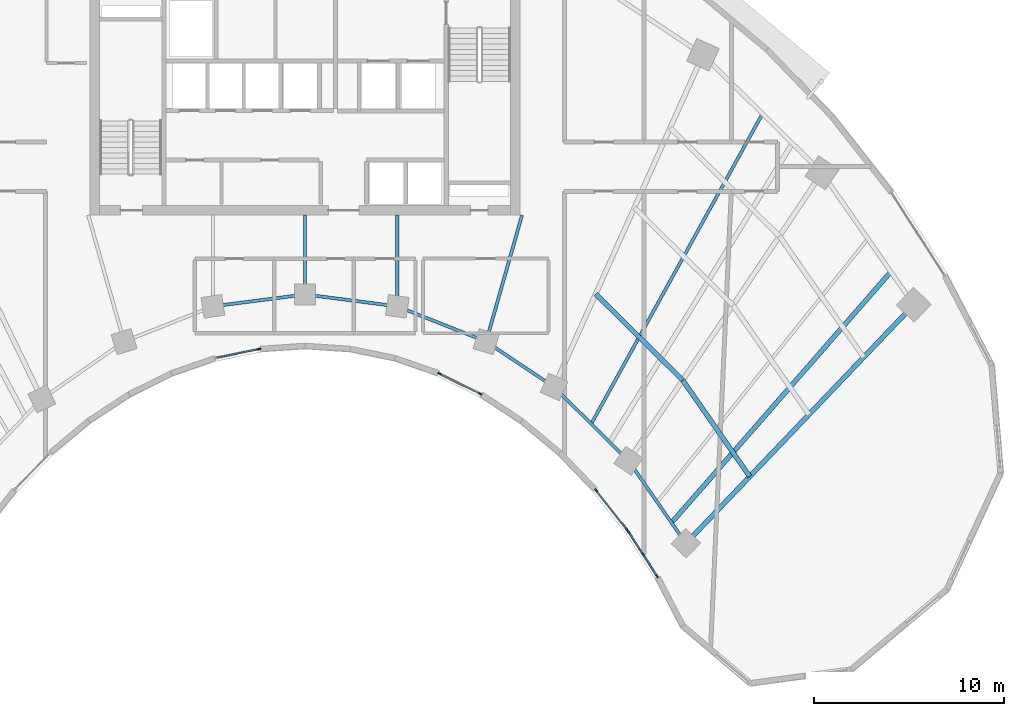
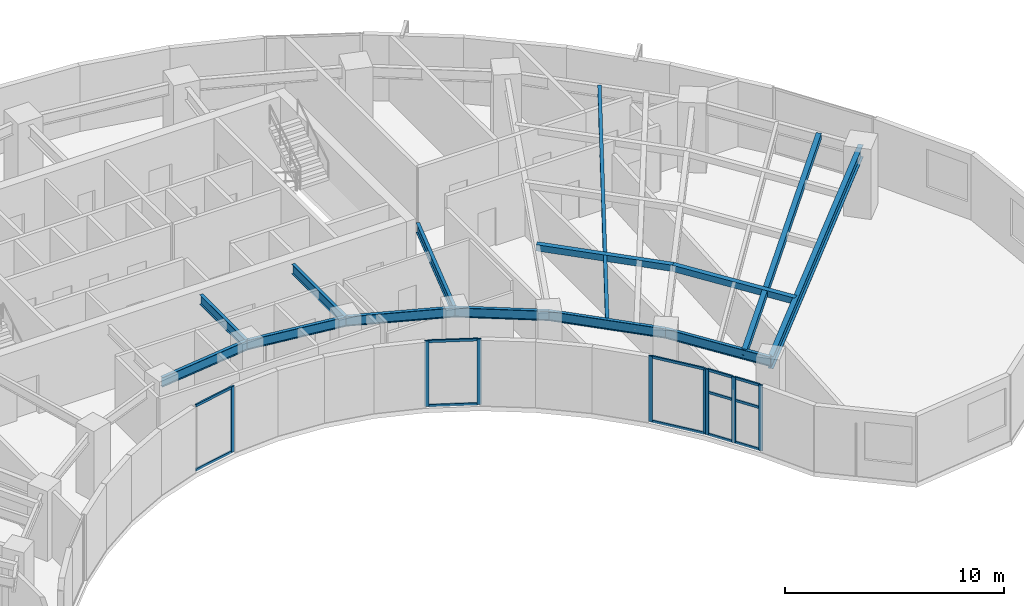
# One storey, part 3 of 14: 20 members, 14 beams, 4 elements without a shape of their own.
"""IFC4 building model written with IfcOpenShell, lengths in metres."""

from ifc_helpers import new_model, si_unit, direction, frame, origin, origin_2d, place, context, subcontext, project, spatial, rectangle, hollow_rectangle, i_section, extrude, source, transform, mapped, material, layer, layer_set, material_profile, profile_set, type_object, type_shapes, element, aggregate, save


model = new_model("IFC4")

# Units and contexts
model_context = context("Model", 3, precision=1e-05, world=origin(), true_north=direction((0.0, 1.0)))
body_context = subcontext(model_context, "Body", "Model", "MODEL_VIEW")
ifc_project = project(units=[si_unit("LENGTHUNIT", "METRE"), si_unit("AREAUNIT", "SQUARE_METRE"), si_unit("VOLUMEUNIT", "CUBIC_METRE"), si_unit("PLANEANGLEUNIT", "RADIAN"), si_unit("MASSUNIT", "GRAM", prefix="KILO")], contexts=[model_context])

# Site, building, storey
site_placement = place(None, origin())
site = spatial("IfcSite", under=ifc_project, at=site_placement, CompositionType="ELEMENT")
building_placement = place(site_placement, origin())
building = spatial("IfcBuilding", under=site, at=building_placement, Name="Breltana Convention Tower", CompositionType="ELEMENT")
storey_placement = place(building_placement, frame((0.0, 0.0, 135.0)))
storey = spatial("IfcBuildingStorey", under=building, at=storey_placement, Name="L32", CompositionType="ELEMENT", Elevation=135.0)

# Beams
ifc_material_1 = material(Name="Steel ASTM A992 Grade 50", Category="steel")
ifc_material_profile_1 = material_profile(ifc_material_1, i_section(OverallWidth=0.25390625, OverallDepth=0.68798828125, WebThickness=0.01318359375, FlangeThickness=0.02099609375, at=origin_2d()), Name="W27X102")
ifc_profile_set_1 = profile_set([ifc_material_profile_1], Name="Steel ASTM A992 Grade 50")
beam_type_1 = type_object("IfcBeamType", Name="BM-RG-W27X102", PredefinedType="USERDEFINED", material=ifc_profile_set_1)
shared_shape_1 = source(origin(), body_context, "Body", "SweptSolid", [
    extrude(i_section(OverallWidth=0.25390625, OverallDepth=0.68798828125, WebThickness=0.01318359375, FlangeThickness=0.02099609375, at=origin_2d()), origin(), (0.0, 0.0, 1.0), 17.341064453125),
])
type_shapes(beam_type_1, [shared_shape_1])
beam_1_placement = place(storey_placement, frame((68.015380859375, 42.95458984375, 3.305908203125), z_axis=(0.690716462293, 0.723125693581, 0.0), x_axis=(-0.723125693581, 0.690716462293, 0.0)))
element("IfcBeam", 1, at=beam_1_placement, inside=storey, type_object=beam_type_1, Name="L32 Radial Floor Girder R11", ObjectType="GIRDER", PredefinedType="USERDEFINED", context=body_context, shape_type="MappedRepresentation", body=[
    mapped(shared_shape_1, transform((0.0, 0.0, 0.0), scale=1.0)),
])
ifc_material_profile_2 = material_profile(ifc_material_1, i_section(OverallWidth=0.166015625, OverallDepth=0.534912109375, WebThickness=0.01025390625, FlangeThickness=0.0166015625, at=origin_2d()), Name="W21X57")
ifc_profile_set_2 = profile_set([ifc_material_profile_2], Name="Steel ASTM A992 Grade 50")
beam_type_2 = type_object("IfcBeamType", Name="BM-BM-W21X57", PredefinedType="BEAM", material=ifc_profile_set_2)
shared_shape_2 = source(origin(), body_context, "Body", "SweptSolid", [
    extrude(i_section(OverallWidth=0.166015625, OverallDepth=0.534912109375, WebThickness=0.01025390625, FlangeThickness=0.0166015625, at=origin_2d()), origin(), (0.0, 0.0, 1.0), 6.904541015625),
])
type_shapes(beam_type_2, [shared_shape_2])
beam_2_placement = place(storey_placement, frame((59.39990234375, 60.199951171875, 3.382568359375), z_axis=(-0.273006781054, -0.962012108811, 0.0), x_axis=(0.962012108811, -0.273006781054, 0.0)))
element("IfcBeam", 2, at=beam_2_placement, inside=storey, type_object=beam_type_2, Name="L32 South Core Tie Girder R08", PredefinedType="BEAM", context=body_context, shape_type="MappedRepresentation", body=[
    mapped(shared_shape_2, transform((0.0, 0.0, 0.0), scale=1.0)),
])
shared_shape_3 = source(origin(), body_context, "Body", "SweptSolid", [
    extrude(i_section(OverallWidth=0.166015625, OverallDepth=0.534912109375, WebThickness=0.01025390625, FlangeThickness=0.0166015625, at=origin_2d()), origin(), (0.0, 0.0, 1.0), 4.789306640625),
])
beam_3_placement = place(storey_placement, frame((52.846435546875, 60.199951171875, 3.382568359375), z_axis=(0.0, -1.0, 0.0), x_axis=(1.0, 0.0, 0.0)))
element("IfcBeam", 3, at=beam_3_placement, inside=storey, type_object=beam_type_2, Name="L32 South Core Tie Girder R07", PredefinedType="BEAM", context=body_context, shape_type="MappedRepresentation", body=[
    mapped(shared_shape_3, transform((0.0, 0.0, 0.0), scale=1.0)),
])
shared_shape_4 = source(origin(), body_context, "Body", "SweptSolid", [
    extrude(i_section(OverallWidth=0.166015625, OverallDepth=0.534912109375, WebThickness=0.01025390625, FlangeThickness=0.0166015625, at=origin_2d()), origin(), (0.0, 0.0, 1.0), 4.1640625),
])
beam_4_placement = place(storey_placement, frame((48.0, 60.199951171875, 3.382568359375), z_axis=(0.0, -1.0, 0.0), x_axis=(1.0, 0.0, 0.0)))
element("IfcBeam", 4, at=beam_4_placement, inside=storey, type_object=beam_type_2, Name="L32 South Core Tie Girder R06", PredefinedType="BEAM", context=body_context, shape_type="MappedRepresentation", body=[
    mapped(shared_shape_4, transform((0.0, 0.0, 0.0), scale=1.0)),
])
shared_shape_5 = source(origin(), body_context, "Body", "SweptSolid", [
    extrude(i_section(OverallWidth=0.166015625, OverallDepth=0.534912109375, WebThickness=0.01025390625, FlangeThickness=0.0166015625, at=origin_2d()), origin(), (0.0, 0.0, 1.0), 5.022705078125),
])
beam_5_placement = place(storey_placement, frame((52.846435546875, 55.41064453125, 3.382568359375), z_axis=(0.929458966248, -0.368925507469, 0.0), x_axis=(0.368925507469, 0.929458966248, 0.0)))
element("IfcBeam", 5, at=beam_5_placement, inside=storey, type_object=beam_type_2, Name="L32 Inner Ring Beam 07", PredefinedType="BEAM", context=body_context, shape_type="MappedRepresentation", body=[
    mapped(shared_shape_5, transform((0.0, 0.0, 0.0), scale=1.0)),
])
shared_shape_6 = source(origin(), body_context, "Body", "SweptSolid", [
    extrude(i_section(OverallWidth=0.166015625, OverallDepth=0.534912109375, WebThickness=0.01025390625, FlangeThickness=0.0166015625, at=origin_2d()), origin(), (0.0, 0.0, 1.0), 4.88671875),
])
for number, where, z_axis, x_axis, name in (
    (6, (43.153564453125, 55.41064453125, 3.382568359375), (0.991780525565, 0.127950729231, 0.0), (-0.127950729231, 0.991780525565, 0.0), "L32 Inner Ring Beam 05"),
    (7, (48.0, 56.035888671875, 3.382568359375), (0.991780525565, -0.127950729231, 0.0), (0.127950729231, 0.991780525565, 0.0), "L32 Inner Ring Beam 06"),
):
    element("IfcBeam", number, at=place(storey_placement, frame(where, z_axis=z_axis, x_axis=x_axis)), inside=storey, type_object=beam_type_2, Name=name, PredefinedType="BEAM", context=body_context, shape_type="MappedRepresentation", body=[
        mapped(shared_shape_6, transform((0.0, 0.0, 0.0), scale=1.0)),
    ])
shared_shape_7 = source(origin(), body_context, "Body", "SweptSolid", [
    extrude(i_section(OverallWidth=0.166015625, OverallDepth=0.534912109375, WebThickness=0.01025390625, FlangeThickness=0.0166015625, at=origin_2d()), origin(), (0.0, 0.0, 1.0), 4.2900390625),
])
beam_6_placement = place(storey_placement, frame((57.514892578125, 53.5576171875, 3.382568359375), z_axis=(0.831515827753, -0.555501060482, 0.0), x_axis=(0.555501060482, 0.831515827753, 0.0)))
element("IfcBeam", 8, at=beam_6_placement, inside=storey, type_object=beam_type_2, Name="L32 Inner Ring Beam 08", PredefinedType="BEAM", context=body_context, shape_type="MappedRepresentation", body=[
    mapped(shared_shape_7, transform((0.0, 0.0, 0.0), scale=1.0)),
])
shared_shape_8 = source(origin(), body_context, "Body", "SweptSolid", [
    extrude(i_section(OverallWidth=0.166015625, OverallDepth=0.534912109375, WebThickness=0.01025390625, FlangeThickness=0.0166015625, at=origin_2d()), origin(), (0.0, 0.0, 1.0), 5.51171875),
])
beam_7_placement = place(storey_placement, frame((61.08203125, 51.174560546875, 3.382568359375), z_axis=(0.710090360749, -0.704110559196, 0.0), x_axis=(0.704110559196, 0.710090360749, 0.0)))
element("IfcBeam", 9, at=beam_7_placement, inside=storey, type_object=beam_type_2, Name="L32 Inner Ring Beam 09", PredefinedType="BEAM", context=body_context, shape_type="MappedRepresentation", body=[
    mapped(shared_shape_8, transform((0.0, 0.0, 0.0), scale=1.0)),
])
shared_shape_9 = source(origin(), body_context, "Body", "SweptSolid", [
    extrude(i_section(OverallWidth=0.166015625, OverallDepth=0.534912109375, WebThickness=0.01025390625, FlangeThickness=0.0166015625, at=origin_2d()), origin(), (0.0, 0.0, 1.0), 5.286376953125),
])
beam_8_placement = place(storey_placement, frame((64.995849609375, 47.293701171875, 3.382568359375), z_axis=(0.571194382458, -0.82081482531, 0.0), x_axis=(0.82081482531, 0.571194382458, 0.0)))
element("IfcBeam", 10, at=beam_8_placement, inside=storey, type_object=beam_type_2, Name="L32 Inner Ring Beam 10", PredefinedType="BEAM", context=body_context, shape_type="MappedRepresentation", body=[
    mapped(shared_shape_9, transform((0.0, 0.0, 0.0), scale=1.0)),
])
ifc_material_profile_3 = material_profile(ifc_material_1, hollow_rectangle(XDim=0.25, YDim=0.35009765625, WallThickness=0.011962890625, at=origin_2d()), Name="RHS350X250X12")
ifc_profile_set_3 = profile_set([ifc_material_profile_3], Name="Steel ASTM A992 Grade 50")
beam_type_3 = type_object("IfcBeamType", Name="BM-JSG-12", PredefinedType="JOIST", material=ifc_profile_set_3)
shared_shape_10 = source(origin(), body_context, "Body", "SweptSolid", [
    extrude(hollow_rectangle(XDim=0.25, YDim=0.35009765625, WallThickness=0.011962890625, at=origin_2d()), origin(), (0.0, 0.0, 1.0), 6.435302734375),
])
beam_9_placement = place(storey_placement, frame((63.27392578125, 56.06298828125, 3.47509765625), z_axis=(0.710116389828, -0.704084308089, 0.0), x_axis=(0.704084308089, 0.710116389828, 0.0)))
element("IfcBeam", 11, at=beam_9_placement, inside=storey, type_object=beam_type_3, Name="L32 Composite Floor Joist 09.1", PredefinedType="JOIST", context=body_context, shape_type="MappedRepresentation", body=[
    mapped(shared_shape_10, transform((0.0, 0.0, 0.0), scale=1.0)),
])
ifc_material_profile_4 = material_profile(ifc_material_1, i_section(OverallWidth=0.166015625, OverallDepth=0.534912109375, WebThickness=0.01025390625, FlangeThickness=0.0166015625, at=origin_2d()), Name="W21X57")
ifc_profile_set_4 = profile_set([ifc_material_profile_4], Name="Steel ASTM A992 Grade 50")
beam_type_4 = type_object("IfcBeamType", Name="BM-JSG-05", PredefinedType="JOIST", material=ifc_profile_set_4)
shared_shape_11 = source(origin(), body_context, "Body", "SweptSolid", [
    extrude(i_section(OverallWidth=0.166015625, OverallDepth=0.534912109375, WebThickness=0.01025390625, FlangeThickness=0.0166015625, at=origin_2d()), origin(), (0.0, 0.0, 1.0), 18.617431640625),
])
beam_10_placement = place(storey_placement, frame((63.038818359375, 49.234130859375, 3.382568359375), z_axis=(0.483405602507, 0.875396495004, 0.0), x_axis=(-0.875396495004, 0.483405602507, 0.0)))
element("IfcBeam", 12, at=beam_10_placement, inside=storey, type_object=beam_type_4, Name="L32 Mid-Bay Radial Trimmer 09", PredefinedType="JOIST", context=body_context, shape_type="MappedRepresentation", body=[
    mapped(shared_shape_11, transform((0.0, 0.0, 0.0), scale=1.0)),
])
shared_shape_12 = source(origin(), body_context, "Body", "SweptSolid", [
    extrude(hollow_rectangle(XDim=0.25, YDim=0.35009765625, WallThickness=0.011962890625, at=origin_2d()), origin(), (0.0, 0.0, 1.0), 6.172119140625),
])
beam_11_placement = place(storey_placement, frame((67.84375, 51.531982421875, 3.47509765625), z_axis=(0.571211663392, -0.820802799462, 0.0), x_axis=(0.820802799462, 0.571211663392, 0.0)))
element("IfcBeam", 13, at=beam_11_placement, inside=storey, type_object=beam_type_3, Name="L32 Composite Floor Joist 10.1", PredefinedType="JOIST", context=body_context, shape_type="MappedRepresentation", body=[
    mapped(shared_shape_12, transform((0.0, 0.0, 0.0), scale=1.0)),
])
shared_shape_13 = source(origin(), body_context, "Body", "SweptSolid", [
    extrude(hollow_rectangle(XDim=0.25, YDim=0.35009765625, WallThickness=0.011962890625, at=origin_2d()), origin(), (0.0, 0.0, 1.0), 17.515625),
])
beam_12_placement = place(storey_placement, frame((67.260498046875, 44.03955078125, 3.47509765625), z_axis=(0.658051548324, 0.752972881151, 0.0), x_axis=(-0.752972881151, 0.658051548324, 0.0)))
element("IfcBeam", 14, at=beam_12_placement, inside=storey, type_object=beam_type_3, Name="L32 Quarter-Bay Radial Trimmer 10", PredefinedType="JOIST", context=body_context, shape_type="MappedRepresentation", body=[
    mapped(shared_shape_13, transform((0.0, 0.0, 0.0), scale=1.0)),
])

# Curtain wall, members
ifc_material_2 = material(Name="Aluminium Anodised Bronze Frame", Category="aluminium")
ifc_layer = layer(ifc_material_2, 0.18994140625, Name="Aluminium Anodised Bronze Frame")
ifc_layer_set = layer_set([ifc_layer], Name="Aluminium Anodised Bronze Frame")
curtain_wall_type = type_object("IfcCurtainWallType", Name="CW-SYS-1", PredefinedType="NOTDEFINED", material=ifc_layer_set)
curtain_wall_1_placement = place(storey_placement, origin())
curtain_wall_1 = element("IfcCurtainWall", 15, at=curtain_wall_1_placement, inside=storey, type_object=curtain_wall_type, Name="L32 inner south-court glazing 1", PredefinedType="NOTDEFINED")
ifc_material_3 = material(Name="Aluminium Anodised Bronze", Category="aluminium")
ifc_material_profile_5 = material_profile(ifc_material_3, rectangle(XDim=0.080078125, YDim=0.139892578125, at=origin_2d()), Name="CWT-80X140")
ifc_profile_set_5 = profile_set([ifc_material_profile_5], Name="Aluminium Anodised Bronze")
member_type_1 = type_object("IfcMemberType", Name="CWT-140", PredefinedType="USERDEFINED", material=ifc_profile_set_5)
shared_shape_14 = source(origin(), body_context, "Body", "SweptSolid", [
    extrude(rectangle(XDim=0.080078125, YDim=0.139892578125, at=origin_2d()), origin(), (0.0, 0.0, 1.0), 1.30029296875),
])
member_1_placement = place(storey_placement, frame((66.4794921875, 41.259521484375, 0.0400390625), z_axis=(-0.540188084224, 0.841544314735, 0.0), x_axis=(-0.841544314735, -0.540188084224, 0.0)))
member_1 = element("IfcMember", 16, at=member_1_placement, type_object=member_type_1, Name="CW-01 transom 1.1", ObjectType="TRANSOM", PredefinedType="USERDEFINED", context=body_context, shape_type="MappedRepresentation", body=[
    mapped(shared_shape_14, transform((0.0, 0.0, 0.0), scale=1.0)),
])
member_2_placement = place(storey_placement, frame((66.4794921875, 41.259521484375, 2.37255859375), z_axis=(-0.540188084224, 0.841544314735, 0.0), x_axis=(-0.841544314735, -0.540188084224, 0.0)))
member_2 = element("IfcMember", 17, at=member_2_placement, type_object=member_type_1, Name="CW-01 transom 1.2", ObjectType="TRANSOM", PredefinedType="USERDEFINED", context=body_context, shape_type="MappedRepresentation", body=[
    mapped(shared_shape_14, transform((0.0, 0.0, 0.0), scale=1.0)),
])
member_3_placement = place(storey_placement, frame((66.4794921875, 41.259521484375, 3.610107421875), z_axis=(-0.540188084224, 0.841544314735, 0.0), x_axis=(-0.841544314735, -0.540188084224, 0.0)))
member_3 = element("IfcMember", 18, at=member_3_placement, type_object=member_type_1, Name="CW-01 transom 1.3", ObjectType="TRANSOM", PredefinedType="USERDEFINED", context=body_context, shape_type="MappedRepresentation", body=[
    mapped(shared_shape_14, transform((0.0, 0.0, 0.0), scale=1.0)),
])
shared_shape_15 = source(origin(), body_context, "Body", "SweptSolid", [
    extrude(rectangle(XDim=0.080078125, YDim=0.139892578125, at=origin_2d()), origin(), (0.0, 0.0, 1.0), 1.300048828125),
])
member_4_placement = place(storey_placement, frame((65.73388671875, 42.4208984375, 0.0400390625), z_axis=(-0.540140453972, 0.841574886735, 0.0), x_axis=(-0.841574886735, -0.540140453972, 0.0)))
member_4 = element("IfcMember", 19, at=member_4_placement, type_object=member_type_1, Name="CW-01 transom 2.1", ObjectType="TRANSOM", PredefinedType="USERDEFINED", context=body_context, shape_type="MappedRepresentation", body=[
    mapped(shared_shape_15, transform((0.0, 0.0, 0.0), scale=1.0)),
])
member_5_placement = place(storey_placement, frame((65.73388671875, 42.4208984375, 2.37255859375), z_axis=(-0.540140453972, 0.841574886735, 0.0), x_axis=(-0.841574886735, -0.540140453972, 0.0)))
member_5 = element("IfcMember", 20, at=member_5_placement, type_object=member_type_1, Name="CW-01 transom 2.2", ObjectType="TRANSOM", PredefinedType="USERDEFINED", context=body_context, shape_type="MappedRepresentation", body=[
    mapped(shared_shape_15, transform((0.0, 0.0, 0.0), scale=1.0)),
])
member_6_placement = place(storey_placement, frame((65.73388671875, 42.4208984375, 3.610107421875), z_axis=(-0.540140453972, 0.841574886735, 0.0), x_axis=(-0.841574886735, -0.540140453972, 0.0)))
member_6 = element("IfcMember", 21, at=member_6_placement, type_object=member_type_1, Name="CW-01 transom 2.3", ObjectType="TRANSOM", PredefinedType="USERDEFINED", context=body_context, shape_type="MappedRepresentation", body=[
    mapped(shared_shape_15, transform((0.0, 0.0, 0.0), scale=1.0)),
])

curtain_wall_2_placement = place(storey_placement, origin())
curtain_wall_2 = element("IfcCurtainWall", 22, at=curtain_wall_2_placement, inside=storey, type_object=curtain_wall_type, Name="L32 inner south-court glazing 2", PredefinedType="NOTDEFINED")
shared_shape_16 = source(origin(), body_context, "Body", "SweptSolid", [
    extrude(rectangle(XDim=0.080078125, YDim=0.139892578125, at=origin_2d()), origin(), (0.0, 0.0, 1.0), 2.6005859375),
])
member_7_placement = place(storey_placement, frame((64.928955078125, 43.6591796875, 0.0400390625), z_axis=(-0.618078566977, 0.786116330478, 0.0), x_axis=(-0.786116330478, -0.618078566977, 0.0)))
member_7 = element("IfcMember", 23, at=member_7_placement, type_object=member_type_1, Name="CW-01 transom 1.1", ObjectType="TRANSOM", PredefinedType="USERDEFINED", context=body_context, shape_type="MappedRepresentation", body=[
    mapped(shared_shape_16, transform((0.0, 0.0, 0.0), scale=1.0)),
])
member_8_placement = place(storey_placement, frame((64.928955078125, 43.6591796875, 3.610107421875), z_axis=(-0.618078566977, 0.786116330478, 0.0), x_axis=(-0.786116330478, -0.618078566977, 0.0)))
member_8 = element("IfcMember", 24, at=member_8_placement, type_object=member_type_1, Name="CW-01 transom 1.2", ObjectType="TRANSOM", PredefinedType="USERDEFINED", context=body_context, shape_type="MappedRepresentation", body=[
    mapped(shared_shape_16, transform((0.0, 0.0, 0.0), scale=1.0)),
])

curtain_wall_3_placement = place(storey_placement, origin())
curtain_wall_3 = element("IfcCurtainWall", 25, at=curtain_wall_3_placement, inside=storey, type_object=curtain_wall_type, Name="L32 inner south-court glazing 3", PredefinedType="NOTDEFINED")
shared_shape_17 = source(origin(), body_context, "Body", "SweptSolid", [
    extrude(rectangle(XDim=0.080078125, YDim=0.139892578125, at=origin_2d()), origin(), (0.0, 0.0, 1.0), 2.302490234375),
])
member_9_placement = place(storey_placement, frame((57.167236328125, 50.83251953125, 0.0400390625), z_axis=(-0.895948802276, 0.444157341152, 0.0), x_axis=(-0.444157341152, -0.895948802276, 0.0)))
member_9 = element("IfcMember", 26, at=member_9_placement, type_object=member_type_1, Name="CW-01 transom 1.1", ObjectType="TRANSOM", PredefinedType="USERDEFINED", context=body_context, shape_type="MappedRepresentation", body=[
    mapped(shared_shape_17, transform((0.0, 0.0, 0.0), scale=1.0)),
])
member_10_placement = place(storey_placement, frame((57.167236328125, 50.83251953125, 3.610107421875), z_axis=(-0.895948802276, 0.444157341152, 0.0), x_axis=(-0.444157341152, -0.895948802276, 0.0)))
member_10 = element("IfcMember", 27, at=member_10_placement, type_object=member_type_1, Name="CW-01 transom 1.2", ObjectType="TRANSOM", PredefinedType="USERDEFINED", context=body_context, shape_type="MappedRepresentation", body=[
    mapped(shared_shape_17, transform((0.0, 0.0, 0.0), scale=1.0)),
])

curtain_wall_4_placement = place(storey_placement, origin())
curtain_wall_4 = element("IfcCurtainWall", 28, at=curtain_wall_4_placement, inside=storey, type_object=curtain_wall_type, Name="L32 inner south-court glazing 4", PredefinedType="NOTDEFINED")
shared_shape_18 = source(origin(), body_context, "Body", "SweptSolid", [
    extrude(rectangle(XDim=0.080078125, YDim=0.139892578125, at=origin_2d()), origin(), (0.0, 0.0, 1.0), 2.2138671875),
])
member_11_placement = place(storey_placement, frame((45.535888671875, 53.15576171875, 0.0400390625), z_axis=(-0.979627741123, -0.200822032712, 0.0), x_axis=(0.200822032712, -0.979627741123, 0.0)))
member_11 = element("IfcMember", 29, at=member_11_placement, type_object=member_type_1, Name="CW-01 transom 1.1", ObjectType="TRANSOM", PredefinedType="USERDEFINED", context=body_context, shape_type="MappedRepresentation", body=[
    mapped(shared_shape_18, transform((0.0, 0.0, 0.0), scale=1.0)),
])
member_12_placement = place(storey_placement, frame((45.535888671875, 53.15576171875, 3.610107421875), z_axis=(-0.979627741123, -0.200822032712, 0.0), x_axis=(0.200822032712, -0.979627741123, 0.0)))
member_12 = element("IfcMember", 30, at=member_12_placement, type_object=member_type_1, Name="CW-01 transom 1.2", ObjectType="TRANSOM", PredefinedType="USERDEFINED", context=body_context, shape_type="MappedRepresentation", body=[
    mapped(shared_shape_18, transform((0.0, 0.0, 0.0), scale=1.0)),
])

# Member
ifc_material_profile_6 = material_profile(ifc_material_3, rectangle(XDim=0.080078125, YDim=0.199951171875, at=origin_2d()), Name="CWM-80X200")
ifc_profile_set_6 = profile_set([ifc_material_profile_6], Name="Aluminium Anodised Bronze")
member_type_2 = type_object("IfcMemberType", Name="CWM-200", PredefinedType="MULLION", material=ifc_profile_set_6)
shared_shape_19 = source(origin(), body_context, "Body", "SweptSolid", [
    extrude(rectangle(XDim=0.080078125, YDim=0.199951171875, at=origin_2d()), origin(), (0.0, 0.0, 1.0), 3.64990234375),
])
member_13_placement = place(storey_placement, frame((66.5009765625, 41.22607421875, 0.0), z_axis=(0.0, 0.0, 1.0), x_axis=(-0.841551235949, -0.5401773017, 0.0)))
member_13 = element("IfcMember", 31, at=member_13_placement, type_object=member_type_2, Name="CW-01 mullion 1", PredefinedType="MULLION", context=body_context, shape_type="MappedRepresentation", body=[
    mapped(shared_shape_19, transform((0.0, 0.0, 0.0), scale=1.0)),
])

member_14_placement = place(storey_placement, frame((65.755615234375, 42.38720703125, 0.0), z_axis=(0.0, 0.0, 1.0), x_axis=(-0.841551235949, -0.5401773017, 0.0)))
member_14 = element("IfcMember", 32, at=member_14_placement, type_object=member_type_2, Name="CW-01 mullion 2", PredefinedType="MULLION", context=body_context, shape_type="MappedRepresentation", body=[
    mapped(shared_shape_19, transform((0.0, 0.0, 0.0), scale=1.0)),
])

member_15_placement = place(storey_placement, frame((65.010009765625, 43.548583984375, 0.0), z_axis=(0.0, 0.0, 1.0), x_axis=(-0.841551235949, -0.5401773017, 0.0)))
member_15 = element("IfcMember", 33, at=member_15_placement, type_object=member_type_2, Name="CW-01 mullion 3", PredefinedType="MULLION", context=body_context, shape_type="MappedRepresentation", body=[
    mapped(shared_shape_19, transform((0.0, 0.0, 0.0), scale=1.0)),
])

aggregate(curtain_wall_1, [member_13, member_14, member_15, member_1, member_2, member_3, member_4, member_5, member_6])

member_16_placement = place(storey_placement, frame((64.953857421875, 43.6279296875, 0.0), z_axis=(0.0, 0.0, 1.0), x_axis=(-0.786054302547, -0.61815745037, 0.0)))
member_16 = element("IfcMember", 34, at=member_16_placement, type_object=member_type_2, Name="CW-01 mullion 1", PredefinedType="MULLION", context=body_context, shape_type="MappedRepresentation", body=[
    mapped(shared_shape_19, transform((0.0, 0.0, 0.0), scale=1.0)),
])

member_17_placement = place(storey_placement, frame((63.296630859375, 45.73486328125, 0.0), z_axis=(0.0, 0.0, 1.0), x_axis=(-0.786054302547, -0.61815745037, 0.0)))
member_17 = element("IfcMember", 35, at=member_17_placement, type_object=member_type_2, Name="CW-01 mullion 2", PredefinedType="MULLION", context=body_context, shape_type="MappedRepresentation", body=[
    mapped(shared_shape_19, transform((0.0, 0.0, 0.0), scale=1.0)),
])

aggregate(curtain_wall_2, [member_16, member_17, member_7, member_8])

member_18_placement = place(storey_placement, frame((57.203125, 50.814697265625, 0.0), z_axis=(0.0, 0.0, 1.0), x_axis=(-0.444124759622, -0.895964953495, 0.0)))
member_18 = element("IfcMember", 36, at=member_18_placement, type_object=member_type_2, Name="CW-01 mullion 1", PredefinedType="MULLION", context=body_context, shape_type="MappedRepresentation", body=[
    mapped(shared_shape_19, transform((0.0, 0.0, 0.0), scale=1.0)),
])

member_19_placement = place(storey_placement, frame((55.068359375, 51.873046875, 0.0), z_axis=(0.0, 0.0, 1.0), x_axis=(-0.444124759622, -0.895964953495, 0.0)))
member_19 = element("IfcMember", 37, at=member_19_placement, type_object=member_type_2, Name="CW-01 mullion 2", PredefinedType="MULLION", context=body_context, shape_type="MappedRepresentation", body=[
    mapped(shared_shape_19, transform((0.0, 0.0, 0.0), scale=1.0)),
])

aggregate(curtain_wall_3, [member_18, member_19, member_9, member_10])

member_20_placement = place(storey_placement, frame((45.574951171875, 53.163818359375, 0.0), z_axis=(0.0, 0.0, 1.0), x_axis=(0.200852929183, -0.979621406891, 0.0)))
member_20 = element("IfcMember", 38, at=member_20_placement, type_object=member_type_2, Name="CW-01 mullion 1", PredefinedType="MULLION", context=body_context, shape_type="MappedRepresentation", body=[
    mapped(shared_shape_19, transform((0.0, 0.0, 0.0), scale=1.0)),
])

aggregate(curtain_wall_4, [member_20, member_11, member_12])

save(model, "model.ifc")
